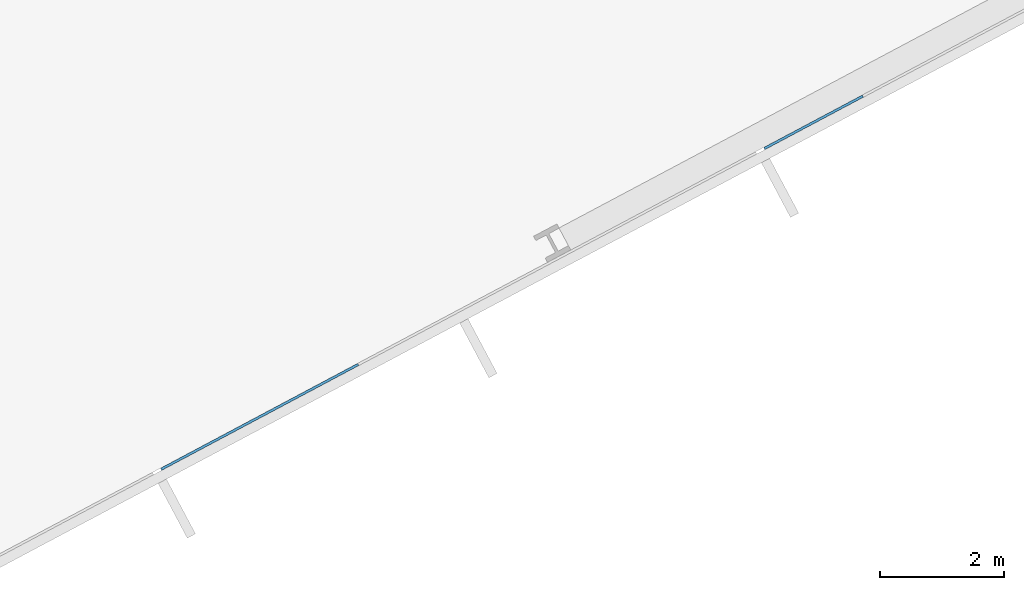
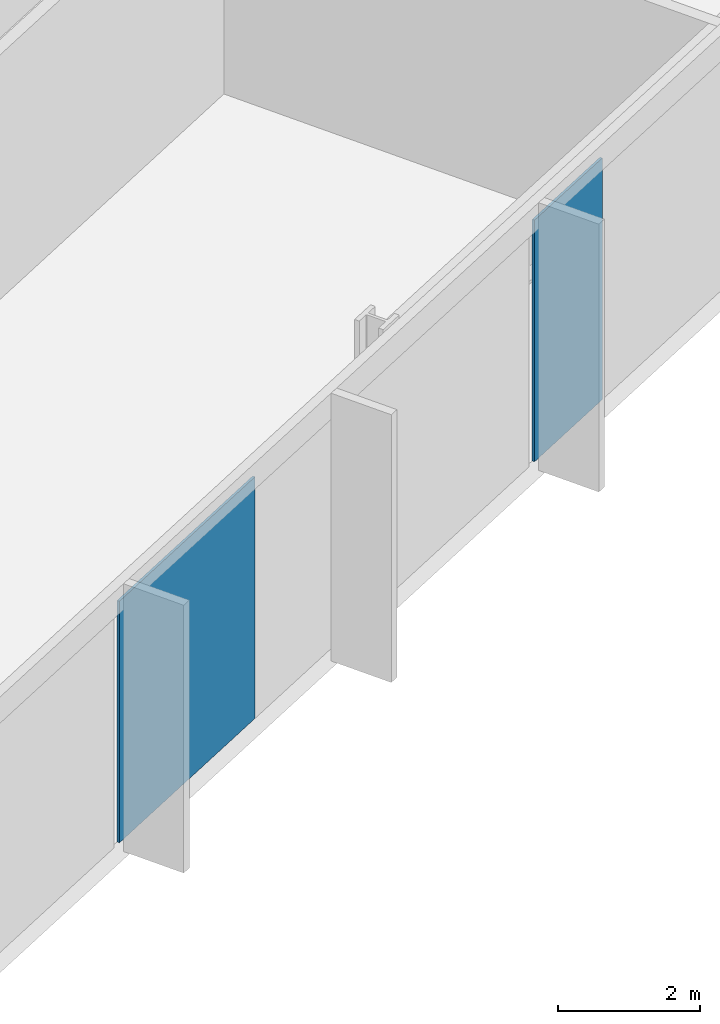
# One storey, part 11 of 30: 2 plates, 1 element without a shape of its own.
"""IFC4 building model written with IfcOpenShell, lengths in metres."""

from ifc_helpers import new_model, si_unit, direction, frame, origin, origin_2d, place, context, subcontext, project, spatial, rectangle, extrude, material, layer, layer_set, type_object, element, aggregate, save


model = new_model("IFC4")

# Units and contexts
model_context = context("Model", 3, precision=1e-05, world=origin(), true_north=direction((0.0, 1.0)))
body_context = subcontext(model_context, "Body", "Model", "MODEL_VIEW")
ifc_project = project(units=[si_unit("LENGTHUNIT", "METRE"), si_unit("AREAUNIT", "SQUARE_METRE"), si_unit("VOLUMEUNIT", "CUBIC_METRE"), si_unit("PLANEANGLEUNIT", "RADIAN"), si_unit("MASSUNIT", "GRAM", prefix="KILO")], contexts=[model_context])

# Site, building, storey
site_placement = place(None, origin())
site = spatial("IfcSite", under=ifc_project, at=site_placement, CompositionType="ELEMENT")
building_placement = place(site_placement, origin())
building = spatial("IfcBuilding", under=site, at=building_placement, Name="Cormorant Relay Tower", CompositionType="ELEMENT")
storey_placement = place(building_placement, frame((0.0, 0.0, 84.60009765625)))
storey = spatial("IfcBuildingStorey", under=building, at=storey_placement, Name="L16", CompositionType="ELEMENT", Elevation=84.60009765625)

# Curtain wall, plates
ifc_material_1 = material(Name="Aluminium 6063-T6 anodised bronze", Category="aluminium")
ifc_layer_1 = layer(ifc_material_1, 0.199951171875)
ifc_layer_set_1 = layer_set([ifc_layer_1], Name="CW1 unitised bronze curtain wall with vertical fins")
curtain_wall_type = type_object("IfcCurtainWallType", Name="CW1 unitised bronze curtain wall with vertical fins", PredefinedType="NOTDEFINED", material=ifc_layer_set_1)
curtain_wall_placement = place(storey_placement, origin())
curtain_wall = element("IfcCurtainWall", 1, at=curtain_wall_placement, inside=storey, type_object=curtain_wall_type, Name="CW1 curtain wall 2", PredefinedType="NOTDEFINED")
ifc_material_2 = material(Name="Tinted laminated glass", Category="glass")
ifc_layer_2 = layer(ifc_material_2, 0.0400390625)
ifc_layer_set_2 = layer_set([ifc_layer_2], Name="CW1 tinted vision panel 1800 module")
plate_type_1 = type_object("IfcPlateType", Name="CW1 tinted vision panel 1800 module", PredefinedType="CURTAIN_PANEL", material=ifc_layer_set_2)
plate_1_placement = place(storey_placement, frame((57.052490234375, 6.52880859375, 0.0), z_axis=(0.0, 0.0, 1.0), x_axis=(0.882947592859, 0.469471562786, 0.0)))
plate_1 = element("IfcPlate", 2, at=plate_1_placement, type_object=plate_type_1, Name="CW1 panel V12", PredefinedType="CURTAIN_PANEL", context=body_context, shape_type="SweptSolid", body=[
    extrude(rectangle(XDim=1.800048828125, YDim=0.0400390625, at=origin_2d()), origin(), (0.0, 0.0, 1.0), 4.14990234375),
])
ifc_material_3 = material(Name="Tinted laminated glass", Category="glass")
ifc_layer_3 = layer(ifc_material_3, 0.0400390625)
ifc_layer_set_3 = layer_set([ifc_layer_3], Name="CW1 tinted vision panel 3600 module")
plate_type_2 = type_object("IfcPlateType", Name="CW1 tinted vision panel 3600 module", PredefinedType="CURTAIN_PANEL", material=ifc_layer_set_3)
plate_2_placement = place(storey_placement, frame((48.11376953125, 1.77587890625, 0.0), z_axis=(0.0, 0.0, 1.0), x_axis=(0.882947592859, 0.469471562786, 0.0)))
plate_2 = element("IfcPlate", 3, at=plate_2_placement, type_object=plate_type_2, Name="CW1 panel V10", PredefinedType="CURTAIN_PANEL", context=body_context, shape_type="SweptSolid", body=[
    extrude(rectangle(XDim=3.60009765625, YDim=0.0400390625, at=origin_2d()), origin(), (0.0, 0.0, 1.0), 4.14990234375),
])
aggregate(curtain_wall, [plate_2, plate_1])

save(model, "model.ifc")
